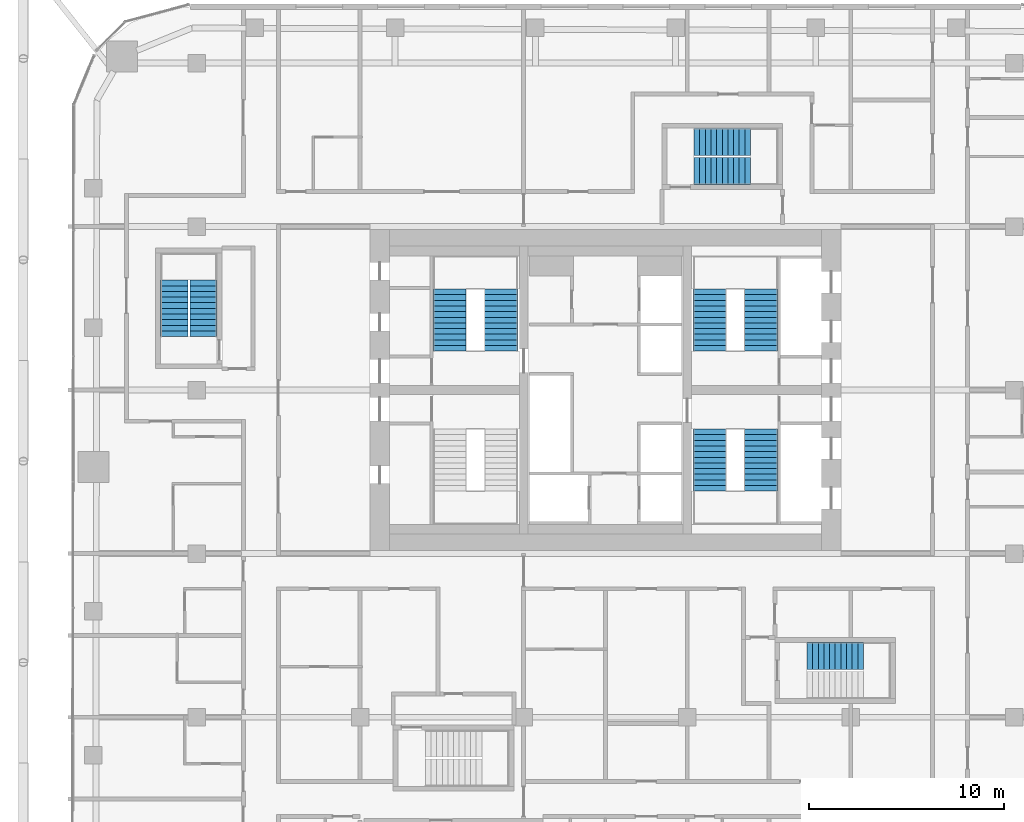
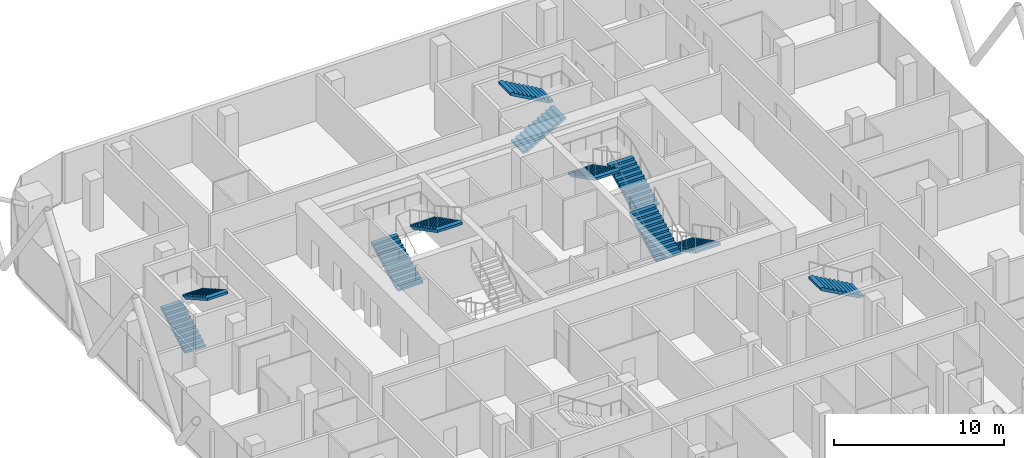
# One storey, part 31 of 33: 11 stair flights, 6 elements without a shape of their own.
"""IFC4 building model written with IfcOpenShell, lengths in metres."""

from ifc_helpers import new_model, si_unit, direction, frame, origin, place, context, subcontext, project, spatial, polyline, outline, extrude, material, type_object, element, aggregate, save


model = new_model("IFC4")

# Units and contexts
model_context = context("Model", 3, precision=1e-05, world=origin(), true_north=direction((0.0, 1.0)))
body_context = subcontext(model_context, "Body", "Model", "MODEL_VIEW")
ifc_project = project(units=[si_unit("LENGTHUNIT", "METRE"), si_unit("AREAUNIT", "SQUARE_METRE"), si_unit("VOLUMEUNIT", "CUBIC_METRE"), si_unit("PLANEANGLEUNIT", "RADIAN"), si_unit("MASSUNIT", "GRAM", prefix="KILO")], contexts=[model_context])

# Site, building, storey
site_placement = place(None, origin())
site = spatial("IfcSite", under=ifc_project, at=site_placement, CompositionType="ELEMENT")
building_placement = place(site_placement, origin())
building = spatial("IfcBuilding", under=site, at=building_placement, Name="Marenta Gate Hotel Tower", CompositionType="ELEMENT")
storey_placement = place(building_placement, frame((0.0, 0.0, 151.699951171875)))
storey = spatial("IfcBuildingStorey", under=building, at=storey_placement, Name="L35", CompositionType="ELEMENT", Elevation=151.699951171875)

# Stair, stair flights
ifc_material_1 = material(Name="Concrete C40", Category="concrete")
stair_type_1 = type_object("IfcStairType", Name="Core exit stair 1700 wide", PredefinedType="HALF_TURN_STAIR", material=ifc_material_1)
stair_1_placement = place(storey_placement, origin())
stair_1 = element("IfcStair", 1, at=stair_1_placement, inside=storey, type_object=stair_type_1, Name="Exit stair 2", PredefinedType="HALF_TURN_STAIR")
ifc_material_2 = material(Name="Concrete C40", Category="concrete")
stair_flight_type_1 = type_object("IfcStairFlightType", Name="Core stair flight 1700 riser 150.0 going 290", PredefinedType="STRAIGHT", material=ifc_material_2)
stair_flight_1_placement = place(storey_placement, frame((-8.0, 10.39990234375, 0.0), z_axis=(0.0, 0.0, 1.0), x_axis=(0.0, 1.0, 0.0)))
stair_flight_1 = element("IfcStairFlight", 2, at=stair_flight_1_placement, type_object=stair_flight_type_1, Name="ST2 flight 1", NumberOfRisers=12, NumberOfTreads=11, PredefinedType="STRAIGHT", RiserHeight=0.15, TreadLength=0.29, context=body_context, shape_type="SweptSolid", body=[
    extrude(outline(polyline([(0.0, 0.0), (0.0, 0.14990234375), (0.2900390625, 0.14990234375), (0.2900390625, 0.300048828125), (0.580078125, 0.300048828125), (0.580078125, 0.449951171875), (0.8701171875, 0.449951171875), (0.8701171875, 0.60009765625), (1.159912109375, 0.60009765625), (1.159912109375, 0.75), (1.449951171875, 0.75), (1.449951171875, 0.89990234375), (1.739990234375, 0.89990234375), (1.739990234375, 1.050048828125), (2.030029296875, 1.050048828125), (2.030029296875, 1.199951171875), (2.320068359375, 1.199951171875), (2.320068359375, 1.35009765625), (2.610107421875, 1.35009765625), (2.610107421875, 1.5), (2.89990234375, 1.5), (2.89990234375, 1.64990234375), (3.18994140625, 1.64990234375), (3.18994140625, 1.800048828125), (3.18994140625, 1.481201171875), (0.326171875, 0.0), (0.0, 0.0)])), frame((0.0, 0.85009765625, 0.0), z_axis=(0.0, -1.0, 0.0), x_axis=(1.0, 0.0, 0.0)), (0.0, 0.0, 1.0), 1.699951171875),
])
stair_flight_2_placement = place(storey_placement, frame((-5.35009765625, 13.590087890625, 1.800048828125), z_axis=(0.0, 0.0, 1.0), x_axis=(0.0, -1.0, 0.0)))
stair_flight_2 = element("IfcStairFlight", 3, at=stair_flight_2_placement, type_object=stair_flight_type_1, Name="ST2 flight 2", NumberOfRisers=12, NumberOfTreads=11, PredefinedType="STRAIGHT", RiserHeight=0.15, TreadLength=0.29, context=body_context, shape_type="SweptSolid", body=[
    extrude(outline(polyline([(0.0, 0.0), (0.0, 0.14990234375), (0.2900390625, 0.14990234375), (0.2900390625, 0.300048828125), (0.580078125, 0.300048828125), (0.580078125, 0.449951171875), (0.8701171875, 0.449951171875), (0.8701171875, 0.60009765625), (1.159912109375, 0.60009765625), (1.159912109375, 0.75), (1.449951171875, 0.75), (1.449951171875, 0.89990234375), (1.739990234375, 0.89990234375), (1.739990234375, 1.050048828125), (2.030029296875, 1.050048828125), (2.030029296875, 1.199951171875), (2.320068359375, 1.199951171875), (2.320068359375, 1.35009765625), (2.610107421875, 1.35009765625), (2.610107421875, 1.5), (2.89990234375, 1.5), (2.89990234375, 1.64990234375), (3.18994140625, 1.64990234375), (3.18994140625, 1.800048828125), (3.18994140625, 1.481201171875), (0.326171875, 0.0), (0.0, 0.0)])), frame((0.0, 0.85009765625, 0.0), z_axis=(0.0, -1.0, 0.0), x_axis=(1.0, 0.0, 0.0)), (0.0, 0.0, 1.0), 1.699951171875),
])
aggregate(stair_1, [stair_flight_1, stair_flight_2])

stair_2_placement = place(storey_placement, origin())
stair_2 = element("IfcStair", 4, at=stair_2_placement, inside=storey, type_object=stair_type_1, Name="Exit stair 3", PredefinedType="HALF_TURN_STAIR")
stair_flight_3_placement = place(storey_placement, frame((8.0, 6.39990234375, 0.0), z_axis=(0.0, 0.0, 1.0), x_axis=(0.0, -1.0, 0.0)))
stair_flight_3 = element("IfcStairFlight", 5, at=stair_flight_3_placement, type_object=stair_flight_type_1, Name="ST3 flight 1", NumberOfRisers=12, NumberOfTreads=11, PredefinedType="STRAIGHT", RiserHeight=0.15, TreadLength=0.29, context=body_context, shape_type="SweptSolid", body=[
    extrude(outline(polyline([(0.0, 0.0), (0.0, 0.14990234375), (0.2900390625, 0.14990234375), (0.2900390625, 0.300048828125), (0.580078125, 0.300048828125), (0.580078125, 0.449951171875), (0.8701171875, 0.449951171875), (0.8701171875, 0.60009765625), (1.159912109375, 0.60009765625), (1.159912109375, 0.75), (1.449951171875, 0.75), (1.449951171875, 0.89990234375), (1.739990234375, 0.89990234375), (1.739990234375, 1.050048828125), (2.030029296875, 1.050048828125), (2.030029296875, 1.199951171875), (2.320068359375, 1.199951171875), (2.320068359375, 1.35009765625), (2.610107421875, 1.35009765625), (2.610107421875, 1.5), (2.89990234375, 1.5), (2.89990234375, 1.64990234375), (3.18994140625, 1.64990234375), (3.18994140625, 1.800048828125), (3.18994140625, 1.481201171875), (0.326171875, 0.0), (0.0, 0.0)])), frame((0.0, 0.85009765625, 0.0), z_axis=(0.0, -1.0, 0.0), x_axis=(1.0, 0.0, 0.0)), (0.0, 0.0, 1.0), 1.699951171875),
])
stair_flight_4_placement = place(storey_placement, frame((5.35009765625, 3.2099609375, 1.800048828125), z_axis=(0.0, 0.0, 1.0), x_axis=(0.0, 1.0, 0.0)))
stair_flight_4 = element("IfcStairFlight", 6, at=stair_flight_4_placement, type_object=stair_flight_type_1, Name="ST3 flight 2", NumberOfRisers=12, NumberOfTreads=11, PredefinedType="STRAIGHT", RiserHeight=0.15, TreadLength=0.29, context=body_context, shape_type="SweptSolid", body=[
    extrude(outline(polyline([(0.0, 0.0), (0.0, 0.14990234375), (0.2900390625, 0.14990234375), (0.2900390625, 0.300048828125), (0.580078125, 0.300048828125), (0.580078125, 0.449951171875), (0.8701171875, 0.449951171875), (0.8701171875, 0.60009765625), (1.159912109375, 0.60009765625), (1.159912109375, 0.75), (1.449951171875, 0.75), (1.449951171875, 0.89990234375), (1.739990234375, 0.89990234375), (1.739990234375, 1.050048828125), (2.030029296875, 1.050048828125), (2.030029296875, 1.199951171875), (2.320068359375, 1.199951171875), (2.320068359375, 1.35009765625), (2.610107421875, 1.35009765625), (2.610107421875, 1.5), (2.89990234375, 1.5), (2.89990234375, 1.64990234375), (3.18994140625, 1.64990234375), (3.18994140625, 1.800048828125), (3.18994140625, 1.481201171875), (0.326171875, 0.0), (0.0, 0.0)])), frame((0.0, 0.85009765625, 0.0), z_axis=(0.0, -1.0, 0.0), x_axis=(1.0, 0.0, 0.0)), (0.0, 0.0, 1.0), 1.699951171875),
])
aggregate(stair_2, [stair_flight_3, stair_flight_4])

stair_3_placement = place(storey_placement, origin())
stair_3 = element("IfcStair", 7, at=stair_3_placement, inside=storey, type_object=stair_type_1, Name="Exit stair 4", PredefinedType="HALF_TURN_STAIR")
stair_flight_5_placement = place(storey_placement, frame((8.0, 10.39990234375, 0.0), z_axis=(0.0, 0.0, 1.0), x_axis=(0.0, 1.0, 0.0)))
stair_flight_5 = element("IfcStairFlight", 8, at=stair_flight_5_placement, type_object=stair_flight_type_1, Name="ST4 flight 1", NumberOfRisers=12, NumberOfTreads=11, PredefinedType="STRAIGHT", RiserHeight=0.15, TreadLength=0.29, context=body_context, shape_type="SweptSolid", body=[
    extrude(outline(polyline([(0.0, 0.0), (0.0, 0.14990234375), (0.2900390625, 0.14990234375), (0.2900390625, 0.300048828125), (0.580078125, 0.300048828125), (0.580078125, 0.449951171875), (0.8701171875, 0.449951171875), (0.8701171875, 0.60009765625), (1.159912109375, 0.60009765625), (1.159912109375, 0.75), (1.449951171875, 0.75), (1.449951171875, 0.89990234375), (1.739990234375, 0.89990234375), (1.739990234375, 1.050048828125), (2.030029296875, 1.050048828125), (2.030029296875, 1.199951171875), (2.320068359375, 1.199951171875), (2.320068359375, 1.35009765625), (2.610107421875, 1.35009765625), (2.610107421875, 1.5), (2.89990234375, 1.5), (2.89990234375, 1.64990234375), (3.18994140625, 1.64990234375), (3.18994140625, 1.800048828125), (3.18994140625, 1.481201171875), (0.326171875, 0.0), (0.0, 0.0)])), frame((0.0, 0.85009765625, 0.0), z_axis=(0.0, -1.0, 0.0), x_axis=(1.0, 0.0, 0.0)), (0.0, 0.0, 1.0), 1.699951171875),
])
stair_flight_6_placement = place(storey_placement, frame((5.35009765625, 13.590087890625, 1.800048828125), z_axis=(0.0, 0.0, 1.0), x_axis=(0.0, -1.0, 0.0)))
stair_flight_6 = element("IfcStairFlight", 9, at=stair_flight_6_placement, type_object=stair_flight_type_1, Name="ST4 flight 2", NumberOfRisers=12, NumberOfTreads=11, PredefinedType="STRAIGHT", RiserHeight=0.15, TreadLength=0.29, context=body_context, shape_type="SweptSolid", body=[
    extrude(outline(polyline([(0.0, 0.0), (0.0, 0.14990234375), (0.2900390625, 0.14990234375), (0.2900390625, 0.300048828125), (0.580078125, 0.300048828125), (0.580078125, 0.449951171875), (0.8701171875, 0.449951171875), (0.8701171875, 0.60009765625), (1.159912109375, 0.60009765625), (1.159912109375, 0.75), (1.449951171875, 0.75), (1.449951171875, 0.89990234375), (1.739990234375, 0.89990234375), (1.739990234375, 1.050048828125), (2.030029296875, 1.050048828125), (2.030029296875, 1.199951171875), (2.320068359375, 1.199951171875), (2.320068359375, 1.35009765625), (2.610107421875, 1.35009765625), (2.610107421875, 1.5), (2.89990234375, 1.5), (2.89990234375, 1.64990234375), (3.18994140625, 1.64990234375), (3.18994140625, 1.800048828125), (3.18994140625, 1.481201171875), (0.326171875, 0.0), (0.0, 0.0)])), frame((0.0, 0.85009765625, 0.0), z_axis=(0.0, -1.0, 0.0), x_axis=(1.0, 0.0, 0.0)), (0.0, 0.0, 1.0), 1.699951171875),
])
aggregate(stair_3, [stair_flight_5, stair_flight_6])

ifc_material_3 = material(Name="Concrete C40", Category="concrete")
stair_type_2 = type_object("IfcStairType", Name="Remote exit stair 1400 wide", PredefinedType="HALF_TURN_STAIR", material=ifc_material_3)
stair_4_placement = place(storey_placement, origin())
stair_4 = element("IfcStair", 10, at=stair_4_placement, inside=storey, type_object=stair_type_2, Name="Exit stair RS-Z1-3", PredefinedType="HALF_TURN_STAIR")
ifc_material_4 = material(Name="Concrete C40", Category="concrete")
stair_flight_type_2 = type_object("IfcStairFlightType", Name="Remote stair flight 1400 riser 163.6 going 290", PredefinedType="STRAIGHT", material=ifc_material_4)
stair_flight_7_placement = place(storey_placement, frame((-22.14990234375, 11.14990234375, 0.0), z_axis=(0.0, 0.0, 1.0), x_axis=(0.0, 1.0, 0.0)))
stair_flight_7 = element("IfcStairFlight", 11, at=stair_flight_7_placement, type_object=stair_flight_type_2, Name="RS-Z1-3 flight 1", NumberOfRisers=11, NumberOfTreads=10, PredefinedType="STRAIGHT", RiserHeight=0.163636, TreadLength=0.29, context=body_context, shape_type="SweptSolid", body=[
    extrude(outline(polyline([(0.0, 0.0), (0.0, 0.16357421875), (0.2900390625, 0.16357421875), (0.2900390625, 0.327392578125), (0.580078125, 0.327392578125), (0.580078125, 0.490966796875), (0.8701171875, 0.490966796875), (0.8701171875, 0.654541015625), (1.159912109375, 0.654541015625), (1.159912109375, 0.818115234375), (1.449951171875, 0.818115234375), (1.449951171875, 0.98193359375), (1.739990234375, 0.98193359375), (1.739990234375, 1.1455078125), (2.030029296875, 1.1455078125), (2.030029296875, 1.30908203125), (2.320068359375, 1.30908203125), (2.320068359375, 1.47265625), (2.610107421875, 1.47265625), (2.610107421875, 1.636474609375), (2.89990234375, 1.636474609375), (2.89990234375, 1.800048828125), (2.89990234375, 1.46435546875), (0.304931640625, 0.0), (0.0, 0.0)])), frame((0.0, 0.699951171875, 0.0), z_axis=(0.0, -1.0, 0.0), x_axis=(1.0, 0.0, 0.0)), (0.0, 0.0, 1.0), 1.39990234375),
])
stair_flight_8_placement = place(storey_placement, frame((-20.64990234375, 14.050048828125, 1.800048828125), z_axis=(0.0, 0.0, 1.0), x_axis=(0.0, -1.0, 0.0)))
stair_flight_8 = element("IfcStairFlight", 12, at=stair_flight_8_placement, type_object=stair_flight_type_2, Name="RS-Z1-3 flight 2", NumberOfRisers=11, NumberOfTreads=10, PredefinedType="STRAIGHT", RiserHeight=0.163636, TreadLength=0.29, context=body_context, shape_type="SweptSolid", body=[
    extrude(outline(polyline([(0.0, 0.0), (0.0, 0.16357421875), (0.2900390625, 0.16357421875), (0.2900390625, 0.327392578125), (0.580078125, 0.327392578125), (0.580078125, 0.490966796875), (0.8701171875, 0.490966796875), (0.8701171875, 0.654541015625), (1.159912109375, 0.654541015625), (1.159912109375, 0.818115234375), (1.449951171875, 0.818115234375), (1.449951171875, 0.98193359375), (1.739990234375, 0.98193359375), (1.739990234375, 1.1455078125), (2.030029296875, 1.1455078125), (2.030029296875, 1.30908203125), (2.320068359375, 1.30908203125), (2.320068359375, 1.47265625), (2.610107421875, 1.47265625), (2.610107421875, 1.636474609375), (2.89990234375, 1.636474609375), (2.89990234375, 1.800048828125), (2.89990234375, 1.46435546875), (0.304931640625, 0.0), (0.0, 0.0)])), frame((0.0, 0.699951171875, 0.0), z_axis=(0.0, -1.0, 0.0), x_axis=(1.0, 0.0, 0.0)), (0.0, 0.0, 1.0), 1.39990234375),
])
aggregate(stair_4, [stair_flight_7, stair_flight_8])

# Stair, stair flight
stair_5_placement = place(storey_placement, origin())
stair_5 = element("IfcStair", 13, at=stair_5_placement, inside=storey, type_object=stair_type_2, Name="Exit stair RS-Z2-2", PredefinedType="HALF_TURN_STAIR")
stair_flight_9_placement = place(storey_placement, frame((13.25, -5.25, 1.800048828125), z_axis=(0.0, 0.0, 1.0), x_axis=(-1.0, 0.0, 0.0)))
stair_flight_9 = element("IfcStairFlight", 14, at=stair_flight_9_placement, type_object=stair_flight_type_2, Name="RS-Z2-2 flight 2", NumberOfRisers=11, NumberOfTreads=10, PredefinedType="STRAIGHT", RiserHeight=0.163636, TreadLength=0.29, context=body_context, shape_type="SweptSolid", body=[
    extrude(outline(polyline([(0.0, 0.0), (0.0, 0.16357421875), (0.2900390625, 0.16357421875), (0.2900390625, 0.327392578125), (0.580078125, 0.327392578125), (0.580078125, 0.490966796875), (0.8701171875, 0.490966796875), (0.8701171875, 0.654541015625), (1.159912109375, 0.654541015625), (1.159912109375, 0.818115234375), (1.449951171875, 0.818115234375), (1.449951171875, 0.98193359375), (1.739990234375, 0.98193359375), (1.739990234375, 1.1455078125), (2.030029296875, 1.1455078125), (2.030029296875, 1.30908203125), (2.320068359375, 1.30908203125), (2.320068359375, 1.47265625), (2.610107421875, 1.47265625), (2.610107421875, 1.636474609375), (2.89990234375, 1.636474609375), (2.89990234375, 1.800048828125), (2.89990234375, 1.46435546875), (0.304931640625, 0.0), (0.0, 0.0)])), frame((0.0, 0.699951171875, 0.0), z_axis=(0.0, -1.0, 0.0), x_axis=(1.0, 0.0, 0.0)), (0.0, 0.0, 1.0), 1.39990234375),
])
aggregate(stair_5, [stair_flight_9])

# Stair, stair flights
stair_6_placement = place(storey_placement, origin())
stair_6 = element("IfcStair", 15, at=stair_6_placement, inside=storey, type_object=stair_type_2, Name="Exit stair RS-Z2-4", PredefinedType="HALF_TURN_STAIR")
stair_flight_10_placement = place(storey_placement, frame((4.550048828125, 19.64990234375, 0.0), z_axis=(0.0, 0.0, 1.0), x_axis=(1.0, 0.0, 0.0)))
stair_flight_10 = element("IfcStairFlight", 16, at=stair_flight_10_placement, type_object=stair_flight_type_2, Name="RS-Z2-4 flight 1", NumberOfRisers=11, NumberOfTreads=10, PredefinedType="STRAIGHT", RiserHeight=0.163636, TreadLength=0.29, context=body_context, shape_type="SweptSolid", body=[
    extrude(outline(polyline([(0.0, 0.0), (0.0, 0.16357421875), (0.2900390625, 0.16357421875), (0.2900390625, 0.327392578125), (0.580078125, 0.327392578125), (0.580078125, 0.490966796875), (0.8701171875, 0.490966796875), (0.8701171875, 0.654541015625), (1.159912109375, 0.654541015625), (1.159912109375, 0.818115234375), (1.449951171875, 0.818115234375), (1.449951171875, 0.98193359375), (1.739990234375, 0.98193359375), (1.739990234375, 1.1455078125), (2.030029296875, 1.1455078125), (2.030029296875, 1.30908203125), (2.320068359375, 1.30908203125), (2.320068359375, 1.47265625), (2.610107421875, 1.47265625), (2.610107421875, 1.636474609375), (2.89990234375, 1.636474609375), (2.89990234375, 1.800048828125), (2.89990234375, 1.46435546875), (0.304931640625, 0.0), (0.0, 0.0)])), frame((0.0, 0.699951171875, 0.0), z_axis=(0.0, -1.0, 0.0), x_axis=(1.0, 0.0, 0.0)), (0.0, 0.0, 1.0), 1.39990234375),
])
stair_flight_11_placement = place(storey_placement, frame((7.449951171875, 21.14990234375, 1.800048828125), z_axis=(0.0, 0.0, 1.0), x_axis=(-1.0, 0.0, 0.0)))
stair_flight_11 = element("IfcStairFlight", 17, at=stair_flight_11_placement, type_object=stair_flight_type_2, Name="RS-Z2-4 flight 2", NumberOfRisers=11, NumberOfTreads=10, PredefinedType="STRAIGHT", RiserHeight=0.163636, TreadLength=0.29, context=body_context, shape_type="SweptSolid", body=[
    extrude(outline(polyline([(0.0, 0.0), (0.0, 0.16357421875), (0.2900390625, 0.16357421875), (0.2900390625, 0.327392578125), (0.580078125, 0.327392578125), (0.580078125, 0.490966796875), (0.8701171875, 0.490966796875), (0.8701171875, 0.654541015625), (1.159912109375, 0.654541015625), (1.159912109375, 0.818115234375), (1.449951171875, 0.818115234375), (1.449951171875, 0.98193359375), (1.739990234375, 0.98193359375), (1.739990234375, 1.1455078125), (2.030029296875, 1.1455078125), (2.030029296875, 1.30908203125), (2.320068359375, 1.30908203125), (2.320068359375, 1.47265625), (2.610107421875, 1.47265625), (2.610107421875, 1.636474609375), (2.89990234375, 1.636474609375), (2.89990234375, 1.800048828125), (2.89990234375, 1.46435546875), (0.304931640625, 0.0), (0.0, 0.0)])), frame((0.0, 0.699951171875, 0.0), z_axis=(0.0, -1.0, 0.0), x_axis=(1.0, 0.0, 0.0)), (0.0, 0.0, 1.0), 1.39990234375),
])
aggregate(stair_6, [stair_flight_10, stair_flight_11])

save(model, "model.ifc")
